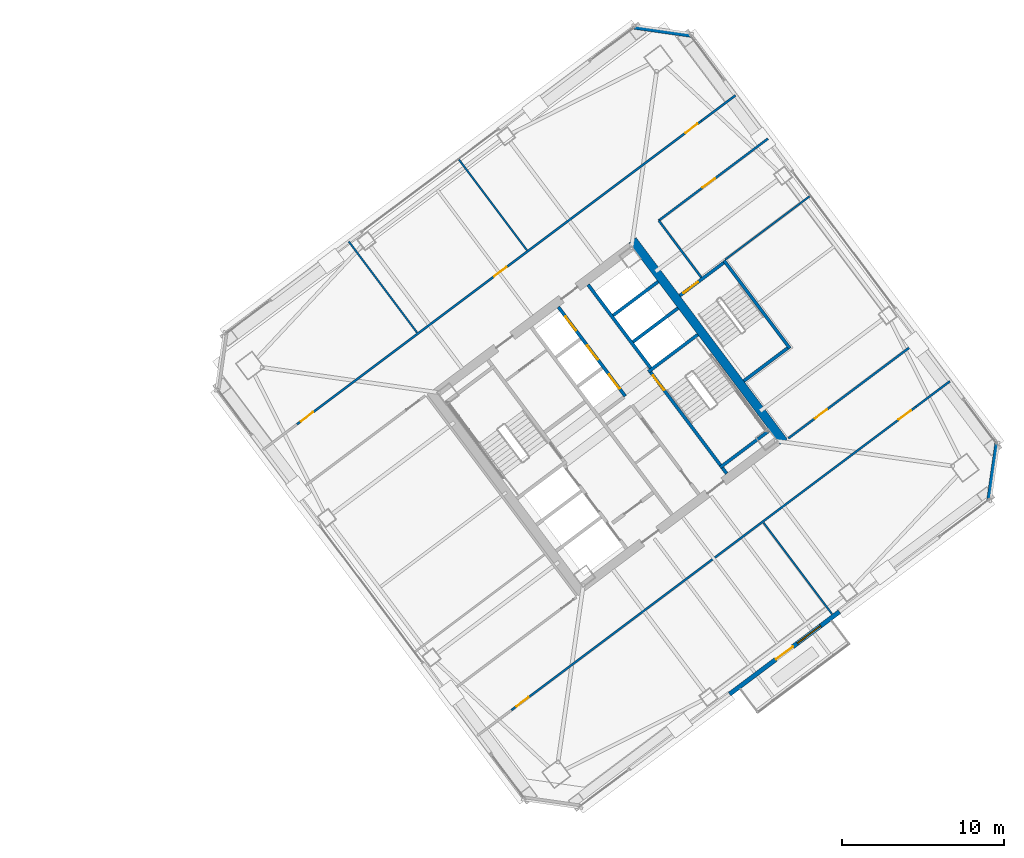
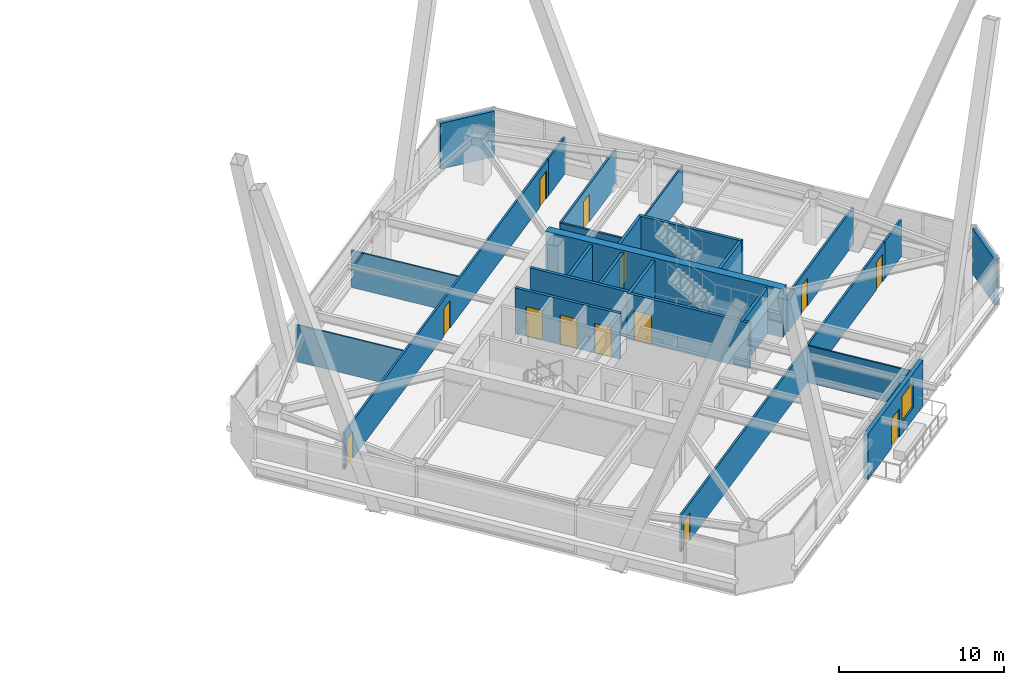
# One storey, part 47 of 54: 25 walls, 13 doors, 1 window, 14 openings.
"""IFC4 building model written with IfcOpenShell, lengths in metres."""

from ifc_helpers import new_model, si_unit, direction, frame, frame_2d, origin, place, context, subcontext, project, spatial, rectangle, extrude, material, layer, layer_set, type_object, element, fill, save


model = new_model("IFC4")

# Units and contexts
model_context = context("Model", 3, precision=1e-05, world=origin(), true_north=direction((0.0, 1.0)))
body_context = subcontext(model_context, "Body", "Model", "MODEL_VIEW")
ifc_project = project(units=[si_unit("LENGTHUNIT", "METRE"), si_unit("AREAUNIT", "SQUARE_METRE"), si_unit("VOLUMEUNIT", "CUBIC_METRE"), si_unit("PLANEANGLEUNIT", "RADIAN"), si_unit("MASSUNIT", "GRAM", prefix="KILO")], contexts=[model_context])

# Site, building, storey
site_placement = place(None, origin())
site = spatial("IfcSite", under=ifc_project, at=site_placement, CompositionType="ELEMENT")
building_placement = place(site_placement, origin())
building = spatial("IfcBuilding", under=site, at=building_placement, Name="Tashvorn Skyway Center", CompositionType="ELEMENT")
storey_placement = place(building_placement, frame((0.0, 0.0, 135.699951171875)))
storey = spatial("IfcBuildingStorey", under=building, at=storey_placement, Name="L36", CompositionType="ELEMENT", Elevation=135.699951171875)

# Wall
ifc_material_1 = material(Name="Concrete C60/75", Category="concrete")
ifc_layer_1 = layer(ifc_material_1, 0.550048828125)
ifc_layer_set_1 = layer_set([ifc_layer_1], Name="Concrete C60/75")
wall_type_1 = type_object("IfcWallType", Name="WALL-CORE-550", PredefinedType="SHEAR", material=ifc_layer_set_1)
wall_1_placement = place(storey_placement, frame((115.56396484375, 42.923095703125, 0.0), z_axis=(0.0, 0.0, 1.0), x_axis=(0.600005007985, -0.799996243986, 0.0)))
element("IfcWall", 1, at=wall_1_placement, inside=storey, type_object=wall_type_1, Name="Tower 2 L36 East Core Shear Wall", PredefinedType="SHEAR", context=body_context, shape_type="SweptSolid", body=[
    extrude(rectangle(XDim=15.60009765625, YDim=0.550048828125, at=frame_2d((7.800048828125, 0.0))), origin(), (0.0, 0.0, 1.0), 3.550048828125),
])

# Wall, openings, door, window
ifc_material_2 = material(Name="Precast concrete C40/50", Category="concrete")
ifc_layer_2 = layer(ifc_material_2, 0.280029296875)
ifc_layer_set_2 = layer_set([ifc_layer_2], Name="Precast concrete C40/50")
wall_type_2 = type_object("IfcWallType", Name="WALL-EXT-280", PredefinedType="SOLIDWALL", material=ifc_layer_set_2)
wall_2_placement = place(storey_placement, frame((128.367919921875, 19.926025390625, 0.0), z_axis=(0.0, 0.0, 1.0), x_axis=(-0.799986212866, -0.600018382406, 0.0)))
wall_2 = element("IfcWall", 2, at=wall_2_placement, inside=storey, type_object=wall_type_2, Name="Tower 2 L36 South Terrace Portal Wall", PredefinedType="SOLIDWALL", context=body_context, shape_type="SweptSolid", body=[
    extrude(rectangle(XDim=8.5, YDim=0.280029296875, at=frame_2d((4.25, 0.0))), origin(), (0.0, 0.0, 1.0), 3.3701171875),
])
opening_1_placement = place(wall_2_placement, frame((3.60009765625, 0.0, 0.0)))
opening_1 = element("IfcOpeningElement", 3, at=opening_1_placement, cuts=wall_2, Name="Opening D-TER-1300", PredefinedType="OPENING", context=body_context, shape_type="SweptSolid", body=[
    extrude(rectangle(XDim=1.300048828125, YDim=2.14990234375, at=frame_2d((0.64990234375, 1.074951171875))), frame((0.0, 0.14990234375, 0.0), z_axis=(0.0, -1.0, 0.0), x_axis=(1.0, 0.0, 0.0)), (0.0, 0.0, 1.0), 0.300048828125),
])
opening_2_placement = place(wall_2_placement, frame((1.4599609375, 0.0, 0.85009765625)))
opening_2 = element("IfcOpeningElement", 4, at=opening_2_placement, cuts=wall_2, Name="Opening WIN-1800", PredefinedType="OPENING", context=body_context, shape_type="SweptSolid", body=[
    extrude(rectangle(XDim=1.800048828125, YDim=1.919921875, at=frame_2d((0.89990234375, 0.9599609375))), frame((0.0, 0.14990234375, 0.0), z_axis=(0.0, -1.0, 0.0), x_axis=(1.0, 0.0, 0.0)), (0.0, 0.0, 1.0), 0.300048828125),
])
ifc_material_3 = material(Name="Thermally broken bronze-anodized aluminium 6063-T6", Category="aluminium")
door_type_1 = type_object("IfcDoorType", Name="DOOR-TERR-1300", OperationType="NOTDEFINED", PredefinedType="DOOR", material=ifc_material_3)
door_1_placement = place(opening_1_placement, origin())
door_1 = element("IfcDoor", 5, at=door_1_placement, inside=storey, type_object=door_type_1, Name="Tower 2 L36 Terrace Access Door", OperationType="SINGLE_SWING_LEFT", OverallHeight=2.14990234375, OverallWidth=1.300048828125, PredefinedType="DOOR", context=body_context, shape_type="SweptSolid", body=[
    extrude(rectangle(XDim=1.300048828125, YDim=2.14990234375, at=frame_2d((0.64990234375, 1.074951171875))), frame((0.0, 0.02490234375, 0.0), z_axis=(0.0, -1.0, 0.0), x_axis=(1.0, 0.0, 0.0)), (0.0, 0.0, 1.0), 0.050048828125),
])
fill(opening_1, door_1)
ifc_material_4 = material(Name="Low-E solar-control double insulating safety glass", Category="glass")
window_type = type_object("IfcWindowType", Name="WIN-TERR-1800", PartitioningType="SINGLE_PANEL", PredefinedType="WINDOW", material=ifc_material_4)
window_placement = place(opening_2_placement, origin())
window = element("IfcWindow", 6, at=window_placement, inside=storey, type_object=window_type, Name="Tower 2 L36 Terrace Window", OverallHeight=1.919921875, OverallWidth=1.800048828125, PartitioningType="SINGLE_PANEL", PredefinedType="WINDOW", context=body_context, shape_type="SweptSolid", body=[
    extrude(rectangle(XDim=1.800048828125, YDim=1.919921875, at=frame_2d((0.89990234375, 0.9599609375))), frame((0.0, 0.030029296875, 0.0), z_axis=(0.0, -1.0, 0.0), x_axis=(1.0, 0.0, 0.0)), (0.0, 0.0, 1.0), 0.06005859375),
])
fill(opening_2, window)

# Walls
for number, where, z_axis, x_axis, name in (
    (7, (115.659912109375, 56.1201171875, 0.0), (0.0, 0.0, 1.0), (0.989949493661, -0.141421356237, 0.0), "Tower 2 L36 NE Precast Chamfer Wall"),
    (8, (138.1201171875, 30.340087890625, 0.0), (0.0, 0.0, 1.0), (-0.141421356237, -0.989949493661, 0.0), "Tower 2 L36 SE Precast Chamfer Wall"),
):
    element("IfcWall", number, at=place(storey_placement, frame(where, z_axis=z_axis, x_axis=x_axis)), inside=storey, type_object=wall_type_2, Name=name, PredefinedType="SOLIDWALL", context=body_context, shape_type="SweptSolid", body=[
        extrude(rectangle(XDim=3.53564453125, YDim=0.280029296875, at=frame_2d((1.767822265625, 0.0))), origin(), (0.0, 0.0, 1.0), 3.3701171875),
    ])
ifc_material_5 = material(Name="Gypsum board on cold-formed steel stud framing", Category="steel")
ifc_layer_3 = layer(ifc_material_5, 0.110107421875)
ifc_layer_set_3 = layer_set([ifc_layer_3], Name="Gypsum board on cold-formed steel stud framing")
wall_type_3 = type_object("IfcWallType", Name="WALL-PART-110", PredefinedType="PARTITIONING", material=ifc_layer_set_3)
wall_3_placement = place(storey_placement, frame((102.221923828125, 37.2041015625, 0.0), z_axis=(0.0, 0.0, 1.0), x_axis=(-0.600005540843, 0.799995844338, 0.0)))
element("IfcWall", 9, at=wall_3_placement, inside=storey, type_object=wall_type_3, Name="Tower 2 L36 North Suite Partition 1", PredefinedType="PARTITIONING", context=body_context, shape_type="SweptSolid", body=[
    extrude(rectangle(XDim=7.0498046875, YDim=0.110107421875, at=frame_2d((3.52490234375, 0.0))), origin(), (0.0, 0.0, 1.0), 2.72314453125),
])
wall_4_placement = place(storey_placement, frame((109.02197265625, 42.303955078125, 0.0), z_axis=(0.0, 0.0, 1.0), x_axis=(-0.599988918536, 0.800008310978, 0.0)))
element("IfcWall", 10, at=wall_4_placement, inside=storey, type_object=wall_type_3, Name="Tower 2 L36 North Suite Partition 2", PredefinedType="PARTITIONING", context=body_context, shape_type="SweptSolid", body=[
    extrude(rectangle(XDim=7.050048828125, YDim=0.110107421875, at=frame_2d((3.52490234375, 0.0))), origin(), (0.0, 0.0, 1.0), 2.72314453125),
])
wall_5_placement = place(storey_placement, frame((127.91796875, 19.77587890625, 0.0), z_axis=(0.0, 0.0, 1.0), x_axis=(-0.6, 0.8, 0.0)))
element("IfcWall", 11, at=wall_5_placement, inside=storey, type_object=wall_type_3, Name="Tower 2 L36 South Suite Partition 1", PredefinedType="PARTITIONING", context=body_context, shape_type="SweptSolid", body=[
    extrude(rectangle(XDim=7.080078125, YDim=0.110107421875, at=frame_2d((3.5400390625, 0.0))), origin(), (0.0, 0.0, 1.0), 2.72314453125),
])
wall_6_placement = place(storey_placement, frame((126.583984375, 45.68798828125, 0.0), z_axis=(0.0, 0.0, 1.0), x_axis=(-0.800004438899, -0.599994081423, 0.0)))
element("IfcWall", 12, at=wall_6_placement, inside=storey, type_object=wall_type_3, Name="Tower 2 L36 East Suite Partition 1", PredefinedType="PARTITIONING", context=body_context, shape_type="SweptSolid", body=[
    extrude(rectangle(XDim=6.60009765625, YDim=0.110107421875, at=frame_2d((3.300048828125, 0.0))), origin(), (0.0, 0.0, 1.0), 2.72314453125),
])
ifc_layer_4 = layer(ifc_material_5, 0.135009765625)
ifc_layer_set_4 = layer_set([ifc_layer_4], Name="Gypsum board on cold-formed steel stud framing")
wall_type_4 = type_object("IfcWallType", Name="WALL-PART-135", PredefinedType="PARTITIONING", material=ifc_layer_set_4)
wall_7_placement = place(storey_placement, frame((119.823974609375, 40.617919921875, 0.0), z_axis=(0.0, 0.0, 1.0), x_axis=(-0.599982243973, 0.800013316712, 0.0)))
element("IfcWall", 13, at=wall_7_placement, inside=storey, type_object=wall_type_4, Name="Tower 2 L36 Stair 3 Access Corridor Wall", PredefinedType="PARTITIONING", context=body_context, shape_type="SweptSolid", body=[
    extrude(rectangle(XDim=4.39990234375, YDim=0.135009765625, at=frame_2d((2.199951171875, 0.0))), origin(), (0.0, 0.0, 1.0), 2.72314453125),
])

# Wall, openings, doors
wall_8_placement = place(storey_placement, frame((94.7900390625, 31.530029296875, 0.0), z_axis=(0.0, 0.0, 1.0), x_axis=(0.8, 0.6, 0.0)))
wall_8 = element("IfcWall", 14, at=wall_8_placement, inside=storey, type_object=wall_type_4, Name="Tower 2 L36 North Suite Wall", PredefinedType="PARTITIONING", context=body_context, shape_type="SweptSolid", body=[
    extrude(rectangle(XDim=31.300048828125, YDim=0.135009765625, at=frame_2d((15.64990234375, 0.0))), origin(), (0.0, 0.0, 1.0), 2.72314453125),
])
opening_3_placement = place(wall_8_placement, frame((0.300048828125, 0.0, 0.0)))
opening_3 = element("IfcOpeningElement", 15, at=opening_3_placement, cuts=wall_8, Name="Opening D-INT-950", PredefinedType="OPENING", context=body_context, shape_type="SweptSolid", body=[
    extrude(rectangle(XDim=0.949951171875, YDim=2.050048828125, at=frame_2d((0.47509765625, 1.02490234375))), frame((0.0, 0.077392578125, 0.0), z_axis=(0.0, -1.0, 0.0), x_axis=(1.0, 0.0, 0.0)), (0.0, 0.0, 1.0), 0.155029296875),
])
opening_4_placement = place(wall_8_placement, frame((15.2626953125, 0.0, 0.0)))
opening_4 = element("IfcOpeningElement", 16, at=opening_4_placement, cuts=wall_8, Name="Opening D-INT-950", PredefinedType="OPENING", context=body_context, shape_type="SweptSolid", body=[
    extrude(rectangle(XDim=0.949951171875, YDim=2.050048828125, at=frame_2d((0.47509765625, 1.02490234375))), frame((0.0, 0.077392578125, 0.0), z_axis=(0.0, -1.0, 0.0), x_axis=(1.0, 0.0, 0.0)), (0.0, 0.0, 1.0), 0.155029296875),
])
opening_5_placement = place(wall_8_placement, frame((30.050048828125, 0.0, 0.0)))
opening_5 = element("IfcOpeningElement", 17, at=opening_5_placement, cuts=wall_8, Name="Opening D-INT-950", PredefinedType="OPENING", context=body_context, shape_type="SweptSolid", body=[
    extrude(rectangle(XDim=0.949951171875, YDim=2.050048828125, at=frame_2d((0.47509765625, 1.02490234375))), frame((0.0, 0.077392578125, 0.0), z_axis=(0.0, -1.0, 0.0), x_axis=(1.0, 0.0, 0.0)), (0.0, 0.0, 1.0), 0.155029296875),
])
ifc_material_6 = material(Name="Solid-core architectural oak veneer door")
door_type_2 = type_object("IfcDoorType", Name="DOOR-INT-950", OperationType="NOTDEFINED", PredefinedType="DOOR", material=ifc_material_6)
door_2_placement = place(opening_3_placement, origin())
door_2 = element("IfcDoor", 18, at=door_2_placement, inside=storey, type_object=door_type_2, Name="Tower 2 L36 Executive Study Lounge Door", OperationType="SINGLE_SWING_RIGHT", OverallHeight=2.050048828125, OverallWidth=0.949951171875, PredefinedType="DOOR", context=body_context, shape_type="SweptSolid", body=[
    extrude(rectangle(XDim=0.949951171875, YDim=2.050048828125, at=frame_2d((0.47509765625, 1.02490234375))), frame((0.0, 0.02490234375, 0.0), z_axis=(0.0, -1.0, 0.0), x_axis=(1.0, 0.0, 0.0)), (0.0, 0.0, 1.0), 0.050048828125),
])
fill(opening_3, door_2)
door_3_placement = place(opening_4_placement, origin())
door_3 = element("IfcDoor", 19, at=door_3_placement, inside=storey, type_object=door_type_2, Name="Tower 2 L36 Executive Study Lounge Door", OperationType="SINGLE_SWING_LEFT", OverallHeight=2.050048828125, OverallWidth=0.949951171875, PredefinedType="DOOR", context=body_context, shape_type="SweptSolid", body=[
    extrude(rectangle(XDim=0.949951171875, YDim=2.050048828125, at=frame_2d((0.47509765625, 1.02490234375))), frame((0.0, 0.02490234375, 0.0), z_axis=(0.0, -1.0, 0.0), x_axis=(1.0, 0.0, 0.0)), (0.0, 0.0, 1.0), 0.050048828125),
])
fill(opening_4, door_3)
door_4_placement = place(opening_5_placement, origin())
door_4 = element("IfcDoor", 20, at=door_4_placement, inside=storey, type_object=door_type_2, Name="Tower 2 L36 Staff Fitness Club Door", OperationType="SINGLE_SWING_RIGHT", OverallHeight=2.050048828125, OverallWidth=0.949951171875, PredefinedType="DOOR", context=body_context, shape_type="SweptSolid", body=[
    extrude(rectangle(XDim=0.949951171875, YDim=2.050048828125, at=frame_2d((0.47509765625, 1.02490234375))), frame((0.0, 0.02490234375, 0.0), z_axis=(0.0, -1.0, 0.0), x_axis=(1.0, 0.0, 0.0)), (0.0, 0.0, 1.0), 0.050048828125),
])
fill(opening_5, door_4)

# Wall
wall_9_placement = place(storey_placement, frame((119.830078125, 50.31005859375, 0.0), z_axis=(0.0, 0.0, 1.0), x_axis=(0.80002227902, 0.599970293491, 0.0)))
element("IfcWall", 21, at=wall_9_placement, inside=storey, type_object=wall_type_4, Name="Tower 2 L36 North-East Suite South Wall", PredefinedType="PARTITIONING", context=body_context, shape_type="SweptSolid", body=[
    extrude(rectangle(XDim=2.6298828125, YDim=0.135009765625, at=frame_2d((1.31494140625, 0.0))), origin(), (0.0, 0.0, 1.0), 2.72314453125),
])

# Wall, openings, doors
wall_10_placement = place(storey_placement, frame((133.10205078125, 32.614013671875, 0.0), z_axis=(0.0, 0.0, 1.0), x_axis=(-0.8, -0.6, 0.0)))
wall_10 = element("IfcWall", 22, at=wall_10_placement, inside=storey, type_object=wall_type_4, Name="Tower 2 L36 South Suite Wall", PredefinedType="PARTITIONING", context=body_context, shape_type="SweptSolid", body=[
    extrude(rectangle(XDim=31.300048828125, YDim=0.135009765625, at=frame_2d((15.64990234375, 0.0))), origin(), (0.0, 0.0, 1.0), 2.72314453125),
])
opening_6_placement = place(wall_10_placement, frame((29.969970703125, 0.0, 0.0)))
opening_6 = element("IfcOpeningElement", 23, at=opening_6_placement, cuts=wall_10, Name="Opening D-INT-950", PredefinedType="OPENING", context=body_context, shape_type="SweptSolid", body=[
    extrude(rectangle(XDim=0.949951171875, YDim=2.050048828125, at=frame_2d((0.47509765625, 1.02490234375))), frame((0.0, 0.077392578125, 0.0), z_axis=(0.0, -1.0, 0.0), x_axis=(1.0, 0.0, 0.0)), (0.0, 0.0, 1.0), 0.155029296875),
])
opening_7_placement = place(wall_10_placement, frame((0.3798828125, 0.0, 0.0)))
opening_7 = element("IfcOpeningElement", 24, at=opening_7_placement, cuts=wall_10, Name="Opening D-INT-950", PredefinedType="OPENING", context=body_context, shape_type="SweptSolid", body=[
    extrude(rectangle(XDim=0.949951171875, YDim=2.050048828125, at=frame_2d((0.47509765625, 1.02490234375))), frame((0.0, 0.077392578125, 0.0), z_axis=(0.0, -1.0, 0.0), x_axis=(1.0, 0.0, 0.0)), (0.0, 0.0, 1.0), 0.155029296875),
])
door_5_placement = place(opening_6_placement, origin())
door_5 = element("IfcDoor", 25, at=door_5_placement, inside=storey, type_object=door_type_2, Name="Tower 2 L36 Executive Study Lounge Door", OperationType="SINGLE_SWING_LEFT", OverallHeight=2.050048828125, OverallWidth=0.949951171875, PredefinedType="DOOR", context=body_context, shape_type="SweptSolid", body=[
    extrude(rectangle(XDim=0.949951171875, YDim=2.050048828125, at=frame_2d((0.47509765625, 1.02490234375))), frame((0.0, 0.02490234375, 0.0), z_axis=(0.0, -1.0, 0.0), x_axis=(1.0, 0.0, 0.0)), (0.0, 0.0, 1.0), 0.050048828125),
])
fill(opening_6, door_5)
door_6_placement = place(opening_7_placement, origin())
door_6 = element("IfcDoor", 26, at=door_6_placement, inside=storey, type_object=door_type_2, Name="Tower 2 L36 Staff Fitness Club Door", OperationType="SINGLE_SWING_RIGHT", OverallHeight=2.050048828125, OverallWidth=0.949951171875, PredefinedType="DOOR", context=body_context, shape_type="SweptSolid", body=[
    extrude(rectangle(XDim=0.949951171875, YDim=2.050048828125, at=frame_2d((0.47509765625, 1.02490234375))), frame((0.0, 0.02490234375, 0.0), z_axis=(0.0, -1.0, 0.0), x_axis=(1.0, 0.0, 0.0)), (0.0, 0.0, 1.0), 0.050048828125),
])
fill(opening_7, door_6)

# Wall
wall_11_placement = place(storey_placement, frame((133.10205078125, 32.614013671875, 0.0), z_axis=(0.0, 0.0, 1.0), x_axis=(0.80002227902, 0.599970293491, 0.0)))
element("IfcWall", 27, at=wall_11_placement, inside=storey, type_object=wall_type_4, Name="Tower 2 L36 South-East Suite North Wall", PredefinedType="PARTITIONING", context=body_context, shape_type="SweptSolid", body=[
    extrude(rectangle(XDim=2.6298828125, YDim=0.135009765625, at=frame_2d((1.31494140625, 0.0))), origin(), (0.0, 0.0, 1.0), 2.72314453125),
])

# Wall, opening, door
wall_12_placement = place(storey_placement, frame((123.944091796875, 49.2080078125, 0.0), z_axis=(0.0, 0.0, 1.0), x_axis=(-0.799996532921, -0.600004622744, 0.0)))
wall_12 = element("IfcWall", 28, at=wall_12_placement, inside=storey, type_object=wall_type_4, Name="Tower 2 L36 East Suite North Wall", PredefinedType="PARTITIONING", context=body_context, shape_type="SweptSolid", body=[
    extrude(rectangle(XDim=8.449951171875, YDim=0.135009765625, at=frame_2d((4.22509765625, 0.0))), origin(), (0.0, 0.0, 1.0), 2.72314453125),
])
opening_8_placement = place(wall_12_placement, frame((4.10009765625, 0.0, 0.0)))
opening_8 = element("IfcOpeningElement", 29, at=opening_8_placement, cuts=wall_12, Name="Opening D-INT-950", PredefinedType="OPENING", context=body_context, shape_type="SweptSolid", body=[
    extrude(rectangle(XDim=0.949951171875, YDim=2.050048828125, at=frame_2d((0.47509765625, 1.02490234375))), frame((0.0, 0.077392578125, 0.0), z_axis=(0.0, -1.0, 0.0), x_axis=(1.0, 0.0, 0.0)), (0.0, 0.0, 1.0), 0.155029296875),
])
door_7_placement = place(opening_8_placement, origin())
door_7 = element("IfcDoor", 30, at=door_7_placement, inside=storey, type_object=door_type_2, Name="Tower 2 L36 Open Plan Office Door", OperationType="SINGLE_SWING_LEFT", OverallHeight=2.050048828125, OverallWidth=0.949951171875, PredefinedType="DOOR", context=body_context, shape_type="SweptSolid", body=[
    extrude(rectangle(XDim=0.949951171875, YDim=2.050048828125, at=frame_2d((0.47509765625, 1.02490234375))), frame((0.0, 0.02490234375, 0.0), z_axis=(0.0, -1.0, 0.0), x_axis=(1.0, 0.0, 0.0)), (0.0, 0.0, 1.0), 0.050048828125),
])
fill(opening_8, door_7)

wall_13_placement = place(storey_placement, frame((125.2080078125, 30.656005859375, 0.0), z_axis=(0.0, 0.0, 1.0), x_axis=(0.799997105034, 0.600003859935, 0.0)))
wall_13 = element("IfcWall", 31, at=wall_13_placement, inside=storey, type_object=wall_type_4, Name="Tower 2 L36 East Suite South Wall", PredefinedType="PARTITIONING", context=body_context, shape_type="SweptSolid", body=[
    extrude(rectangle(XDim=10.119873046875, YDim=0.135009765625, at=frame_2d((5.06005859375, 0.0))), origin(), (0.0, 0.0, 1.0), 2.72314453125),
])
opening_9_placement = place(wall_13_placement, frame((2.044921875, 0.0, 0.0)))
opening_9 = element("IfcOpeningElement", 32, at=opening_9_placement, cuts=wall_13, Name="Opening D-INT-950", PredefinedType="OPENING", context=body_context, shape_type="SweptSolid", body=[
    extrude(rectangle(XDim=0.949951171875, YDim=2.050048828125, at=frame_2d((0.47509765625, 1.02490234375))), frame((0.0, 0.077392578125, 0.0), z_axis=(0.0, -1.0, 0.0), x_axis=(1.0, 0.0, 0.0)), (0.0, 0.0, 1.0), 0.155029296875),
])
door_8_placement = place(opening_9_placement, origin())
door_8 = element("IfcDoor", 33, at=door_8_placement, inside=storey, type_object=door_type_2, Name="Tower 2 L36 Public Restroom Door", OperationType="SINGLE_SWING_RIGHT", OverallHeight=2.050048828125, OverallWidth=0.949951171875, PredefinedType="DOOR", context=body_context, shape_type="SweptSolid", body=[
    extrude(rectangle(XDim=0.949951171875, YDim=2.050048828125, at=frame_2d((0.47509765625, 1.02490234375))), frame((0.0, 0.02490234375, 0.0), z_axis=(0.0, -1.0, 0.0), x_axis=(1.0, 0.0, 0.0)), (0.0, 0.0, 1.0), 0.050048828125),
])
fill(opening_9, door_8)

# Walls
ifc_material_7 = material(Name="Concrete C40/50", Category="concrete")
ifc_layer_5 = layer(ifc_material_7, 0.199951171875)
ifc_layer_set_5 = layer_set([ifc_layer_5], Name="Concrete C40/50")
wall_type_5 = type_object("IfcWallType", Name="WALL-SHAFT-200", PredefinedType="SOLIDWALL", material=ifc_layer_set_5)
for number, where, z_axis, x_axis, name in (
    (34, (115.590087890625, 36.6298828125, 0.0), (0.0, 0.0, 1.0), (0.799974743577, 0.600033673754, 0.0), "Tower 2 L36 High-Rise Shaft Divider"),
    (35, (114.360107421875, 38.27001953125, 0.0), (0.0, 0.0, 1.0), (0.800008418847, 0.599988774707, 0.0), "Tower 2 L36 High-Rise Shaft Divider"),
):
    element("IfcWall", number, at=place(storey_placement, frame(where, z_axis=z_axis, x_axis=x_axis)), inside=storey, type_object=wall_type_5, Name=name, PredefinedType="SOLIDWALL", context=body_context, shape_type="SweptSolid", body=[
        extrude(rectangle(XDim=3.47998046875, YDim=0.199951171875, at=frame_2d((1.739990234375, 0.0))), origin(), (0.0, 0.0, 1.0), 3.3701171875),
    ])

# Wall, openings, doors
wall_14_placement = place(storey_placement, frame((115.110107421875, 33.27001953125, 0.0), z_axis=(0.0, 0.0, 1.0), x_axis=(-0.600011322243, 0.799991508192, 0.0)))
wall_14 = element("IfcWall", 36, at=wall_14_placement, inside=storey, type_object=wall_type_5, Name="Tower 2 L36 Mid-Rise Core Wall", PredefinedType="SOLIDWALL", context=body_context, shape_type="SweptSolid", body=[
    extrude(rectangle(XDim=6.900146484375, YDim=0.199951171875, at=frame_2d((3.4501953125, 0.0))), origin(), (0.0, 0.0, 1.0), 3.3701171875),
])
opening_10_placement = place(wall_14_placement, frame((0.574951171875, 0.0, 0.0)))
opening_10 = element("IfcOpeningElement", 37, at=opening_10_placement, cuts=wall_14, Name="Opening LD-MR-T2-1-L36", PredefinedType="OPENING", context=body_context, shape_type="SweptSolid", body=[
    extrude(rectangle(XDim=1.10009765625, YDim=2.199951171875, at=frame_2d((0.550048828125, 1.10009765625))), frame((0.0, 0.10986328125, 0.0), z_axis=(0.0, -1.0, 0.0), x_axis=(1.0, 0.0, 0.0)), (0.0, 0.0, 1.0), 0.219970703125),
])
opening_11_placement = place(wall_14_placement, frame((2.824951171875, 0.0, 0.0)))
opening_11 = element("IfcOpeningElement", 38, at=opening_11_placement, cuts=wall_14, Name="Opening LD-MR-T2-2-L36", PredefinedType="OPENING", context=body_context, shape_type="SweptSolid", body=[
    extrude(rectangle(XDim=1.10009765625, YDim=2.199951171875, at=frame_2d((0.550048828125, 1.10009765625))), frame((0.0, 0.10986328125, 0.0), z_axis=(0.0, -1.0, 0.0), x_axis=(1.0, 0.0, 0.0)), (0.0, 0.0, 1.0), 0.219970703125),
])
opening_12_placement = place(wall_14_placement, frame((5.074951171875, 0.0, 0.0)))
opening_12 = element("IfcOpeningElement", 39, at=opening_12_placement, cuts=wall_14, Name="Opening LD-MR-T2-3-L36", PredefinedType="OPENING", context=body_context, shape_type="SweptSolid", body=[
    extrude(rectangle(XDim=1.10009765625, YDim=2.199951171875, at=frame_2d((0.550048828125, 1.10009765625))), frame((0.0, 0.10986328125, 0.0), z_axis=(0.0, -1.0, 0.0), x_axis=(1.0, 0.0, 0.0)), (0.0, 0.0, 1.0), 0.219970703125),
])
ifc_material_8 = material(Name="Stainless steel landing door", Category="steel")
door_type_3 = type_object("IfcDoorType", Name="DOOR-LIFT-1100", OperationType="SLIDING_TO_LEFT", PredefinedType="DOOR", material=ifc_material_8)
door_9_placement = place(opening_10_placement, origin())
door_9 = element("IfcDoor", 40, at=door_9_placement, inside=storey, type_object=door_type_3, Name="Lift MR-T2-1 L36 Landing Door", OperationType="SLIDING_TO_LEFT", OverallHeight=2.199951171875, OverallWidth=1.10009765625, PredefinedType="DOOR", context=body_context, shape_type="SweptSolid", body=[
    extrude(rectangle(XDim=1.10009765625, YDim=2.199951171875, at=frame_2d((0.550048828125, 1.10009765625))), frame((0.0, 0.02490234375, 0.0), z_axis=(0.0, -1.0, 0.0), x_axis=(1.0, 0.0, 0.0)), (0.0, 0.0, 1.0), 0.050048828125),
])
fill(opening_10, door_9)
door_10_placement = place(opening_11_placement, origin())
door_10 = element("IfcDoor", 41, at=door_10_placement, inside=storey, type_object=door_type_3, Name="Lift MR-T2-2 L36 Landing Door", OperationType="SLIDING_TO_LEFT", OverallHeight=2.199951171875, OverallWidth=1.10009765625, PredefinedType="DOOR", context=body_context, shape_type="SweptSolid", body=[
    extrude(rectangle(XDim=1.10009765625, YDim=2.199951171875, at=frame_2d((0.550048828125, 1.10009765625))), frame((0.0, 0.02490234375, 0.0), z_axis=(0.0, -1.0, 0.0), x_axis=(1.0, 0.0, 0.0)), (0.0, 0.0, 1.0), 0.050048828125),
])
fill(opening_11, door_10)
door_11_placement = place(opening_12_placement, origin())
door_11 = element("IfcDoor", 42, at=door_11_placement, inside=storey, type_object=door_type_3, Name="Lift MR-T2-3 L36 Landing Door", OperationType="SLIDING_TO_LEFT", OverallHeight=2.199951171875, OverallWidth=1.10009765625, PredefinedType="DOOR", context=body_context, shape_type="SweptSolid", body=[
    extrude(rectangle(XDim=1.10009765625, YDim=2.199951171875, at=frame_2d((0.550048828125, 1.10009765625))), frame((0.0, 0.02490234375, 0.0), z_axis=(0.0, -1.0, 0.0), x_axis=(1.0, 0.0, 0.0)), (0.0, 0.0, 1.0), 0.050048828125),
])
fill(opening_12, door_11)

# Wall, opening, door
ifc_layer_6 = layer(ifc_material_7, 0.199951171875)
ifc_layer_set_6 = layer_set([ifc_layer_6], Name="Concrete C40/50")
wall_type_6 = type_object("IfcWallType", Name="WALL-STSHF-200", PredefinedType="SHEAR", material=ifc_layer_set_6)
wall_15_placement = place(storey_placement, frame((116.56005859375, 34.919921875, 0.0), z_axis=(0.0, 0.0, 1.0), x_axis=(0.59999029481, -0.8000072788, 0.0)))
wall_15 = element("IfcWall", 43, at=wall_15_placement, inside=storey, type_object=wall_type_6, Name="Tower 2 L36 Stair 2 Enclosure Wall", PredefinedType="SHEAR", context=body_context, shape_type="SweptSolid", body=[
    extrude(rectangle(XDim=8.0498046875, YDim=0.199951171875, at=frame_2d((4.02490234375, 0.0))), origin(), (0.0, 0.0, 1.0), 3.3701171875),
])
opening_13_placement = place(wall_15_placement, frame((0.449951171875, 0.0, 0.0)))
opening_13 = element("IfcOpeningElement", 44, at=opening_13_placement, cuts=wall_15, Name="Opening D-ST-1150", PredefinedType="OPENING", context=body_context, shape_type="SweptSolid", body=[
    extrude(rectangle(XDim=1.14990234375, YDim=2.199951171875, at=frame_2d((0.574951171875, 1.10009765625))), frame((0.0, 0.10986328125, 0.0), z_axis=(0.0, -1.0, 0.0), x_axis=(1.0, 0.0, 0.0)), (0.0, 0.0, 1.0), 0.219970703125),
])
ifc_material_9 = material(Name="Hollow galvanized steel fire door assembly", Category="steel")
door_type_4 = type_object("IfcDoorType", Name="DOOR-STAIR-1150", OperationType="NOTDEFINED", PredefinedType="DOOR", material=ifc_material_9)
door_12_placement = place(opening_13_placement, origin())
door_12 = element("IfcDoor", 45, at=door_12_placement, inside=storey, type_object=door_type_4, Name="Tower 2 L36 Exit Stair 2 Door", OperationType="SINGLE_SWING_RIGHT", OverallHeight=2.199951171875, OverallWidth=1.14990234375, PredefinedType="DOOR", context=body_context, shape_type="SweptSolid", body=[
    extrude(rectangle(XDim=1.14990234375, YDim=2.199951171875, at=frame_2d((0.574951171875, 1.10009765625))), frame((0.0, 0.02490234375, 0.0), z_axis=(0.0, -1.0, 0.0), x_axis=(1.0, 0.0, 0.0)), (0.0, 0.0, 1.0), 0.050048828125),
])
fill(opening_13, door_12)

# Walls
for number, where, z_axis, x_axis, name in (
    (46, (116.5400390625, 34.780029296875, 0.0), (0.0, 0.0, 1.0), (0.800015298837, 0.599979601008, 0.0), "Tower 2 L36 Stair 2 North Wall"),
    (47, (120.97998046875, 28.860107421875, 0.0), (0.0, 0.0, 1.0), (0.800015298837, 0.599979601008, 0.0), "Tower 2 L36 Stair 2 South Wall"),
):
    element("IfcWall", number, at=place(storey_placement, frame(where, z_axis=z_axis, x_axis=x_axis)), inside=storey, type_object=wall_type_6, Name=name, PredefinedType="SHEAR", context=body_context, shape_type="SweptSolid", body=[
        extrude(rectangle(XDim=3.829833984375, YDim=0.199951171875, at=frame_2d((1.9150390625, 0.0))), origin(), (0.0, 0.0, 1.0), 3.3701171875),
    ])
wall_16_placement = place(storey_placement, frame((112.81005859375, 40.169921875, 0.0), z_axis=(0.0, 0.0, 1.0), x_axis=(0.599993943644, -0.800004542231, 0.0)))
element("IfcWall", 48, at=wall_16_placement, inside=storey, type_object=wall_type_6, Name="Tower 2 L36 High-Rise Lift Shaft Front Wall", PredefinedType="SHEAR", context=body_context, shape_type="SweptSolid", body=[
    extrude(rectangle(XDim=6.449951171875, YDim=0.199951171875, at=frame_2d((3.22509765625, 0.0))), origin(), (0.0, 0.0, 1.0), 3.3701171875),
])
wall_17_placement = place(storey_placement, frame((125.303955078125, 36.22802734375, 0.0), z_axis=(0.0, 0.0, 1.0), x_axis=(-0.59998851072, 0.800008616831, 0.0)))
element("IfcWall", 49, at=wall_17_placement, inside=storey, type_object=wall_type_6, Name="Tower 2 L36 Stair 3 Outer Wall", PredefinedType="SHEAR", context=body_context, shape_type="SweptSolid", body=[
    extrude(rectangle(XDim=6.7998046875, YDim=0.199951171875, at=frame_2d((3.39990234375, 0.0))), origin(), (0.0, 0.0, 1.0), 3.3701171875),
])

# Wall, opening, door
wall_18_placement = place(storey_placement, frame((121.2041015625, 41.528076171875, 0.0), z_axis=(0.0, 0.0, 1.0), x_axis=(-0.800017232136, -0.599977023131, 0.0)))
wall_18 = element("IfcWall", 50, at=wall_18_placement, inside=storey, type_object=wall_type_6, Name="Tower 2 L36 Stair 3 Enclosure Wall", PredefinedType="SHEAR", context=body_context, shape_type="SweptSolid", body=[
    extrude(rectangle(XDim=3.400146484375, YDim=0.199951171875, at=frame_2d((1.7001953125, 0.0))), origin(), (0.0, 0.0, 1.0), 3.3701171875),
])
opening_14_placement = place(wall_18_placement, frame((1.97509765625, 0.0, 0.0)))
opening_14 = element("IfcOpeningElement", 51, at=opening_14_placement, cuts=wall_18, Name="Opening D-ST-1150", PredefinedType="OPENING", context=body_context, shape_type="SweptSolid", body=[
    extrude(rectangle(XDim=1.14990234375, YDim=2.199951171875, at=frame_2d((0.574951171875, 1.10009765625))), frame((0.0, 0.10986328125, 0.0), z_axis=(0.0, -1.0, 0.0), x_axis=(1.0, 0.0, 0.0)), (0.0, 0.0, 1.0), 0.219970703125),
])
door_13_placement = place(opening_14_placement, origin())
door_13 = element("IfcDoor", 52, at=door_13_placement, inside=storey, type_object=door_type_4, Name="Tower 2 L36 Exit Stair 3 Door", OperationType="SINGLE_SWING_RIGHT", OverallHeight=2.199951171875, OverallWidth=1.14990234375, PredefinedType="DOOR", context=body_context, shape_type="SweptSolid", body=[
    extrude(rectangle(XDim=1.14990234375, YDim=2.199951171875, at=frame_2d((0.574951171875, 1.10009765625))), frame((0.0, 0.02490234375, 0.0), z_axis=(0.0, -1.0, 0.0), x_axis=(1.0, 0.0, 0.0)), (0.0, 0.0, 1.0), 0.050048828125),
])
fill(opening_14, door_13)

# Wall
wall_19_placement = place(storey_placement, frame((122.444091796875, 34.2080078125, 0.0), z_axis=(0.0, 0.0, 1.0), x_axis=(0.79999138319, 0.600011488909, 0.0)))
element("IfcWall", 53, at=wall_19_placement, inside=storey, type_object=wall_type_6, Name="Tower 2 L36 Stair 3 South Wall", PredefinedType="SHEAR", context=body_context, shape_type="SweptSolid", body=[
    extrude(rectangle(XDim=3.39990234375, YDim=0.199951171875, at=frame_2d((1.699951171875, 0.0))), origin(), (0.0, 0.0, 1.0), 3.3701171875),
])

save(model, "model.ifc")
